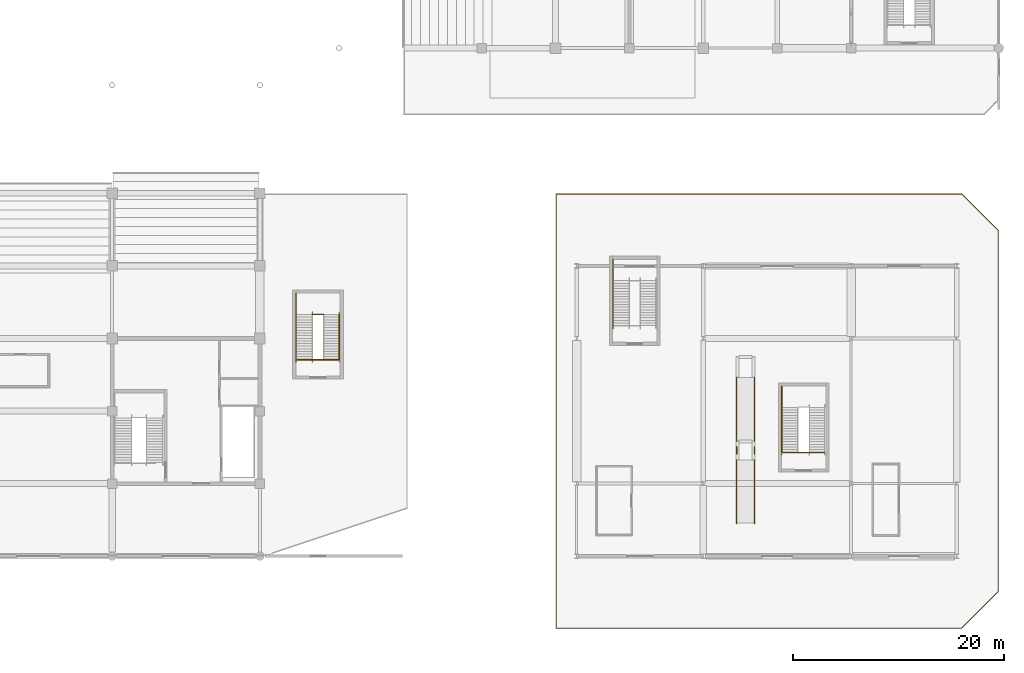
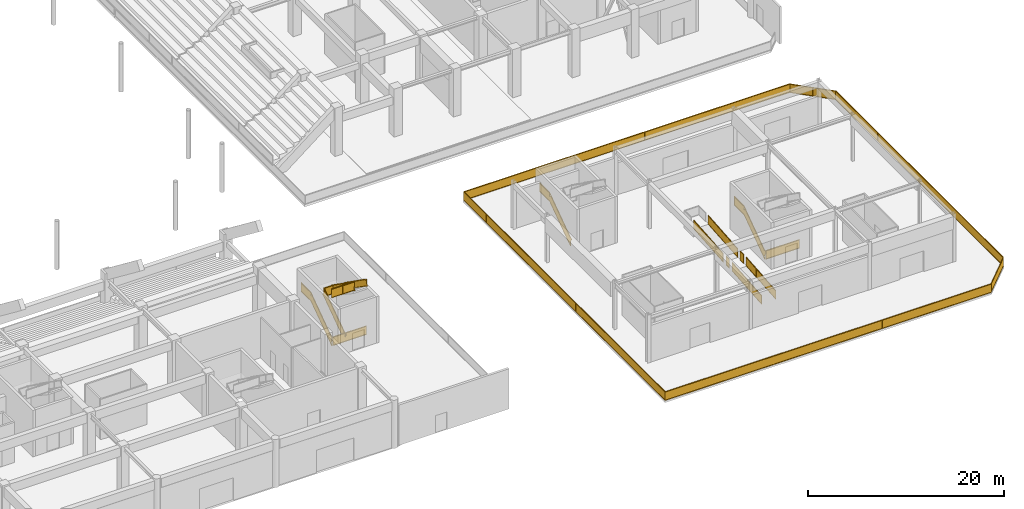
# One storey, part 63 of 73: 14 railings.
"""IFC4 building model written with IfcOpenShell, lengths in metres."""

from ifc_helpers import new_model, si_unit, direction, frame, origin, origin_2d, place, context, subcontext, project, spatial, rectangle, extrude, material, type_object, element, save


model = new_model("IFC4")

# Units and contexts
model_context = context("Model", 3, precision=1e-05, world=origin(), true_north=direction((0.0, 1.0)))
body_context = subcontext(model_context, "Body", "Model", "MODEL_VIEW")
ifc_project = project(units=[si_unit("LENGTHUNIT", "METRE"), si_unit("AREAUNIT", "SQUARE_METRE"), si_unit("VOLUMEUNIT", "CUBIC_METRE"), si_unit("PLANEANGLEUNIT", "RADIAN"), si_unit("MASSUNIT", "GRAM", prefix="KILO")], contexts=[model_context])

# Site, building, storey
site_placement = place(None, origin())
site = spatial("IfcSite", under=ifc_project, at=site_placement, CompositionType="ELEMENT")
building_placement = place(site_placement, origin())
building = spatial("IfcBuilding", under=site, at=building_placement, Name="Linyun Crest Stadium", CompositionType="ELEMENT")
storey_placement = place(building_placement, origin())
storey = spatial("IfcBuildingStorey", under=building, at=storey_placement, Name="L01", CompositionType="ELEMENT", Elevation=0.0)

# Railings
ifc_material_1 = material(Name="Verdigris painted steel botanical balustrade", Category="steel")
railing_type_1 = type_object("IfcRailingType", Name="GR01", PredefinedType="BALUSTRADE", material=ifc_material_1)
railing_1_placement = place(storey_placement, frame((73.159912109375, -84.422119140625, 0.5)))
element("IfcRailing", 1, at=railing_1_placement, inside=storey, type_object=railing_type_1, Name="Slab edge balustrade GR01 403", PredefinedType="BALUSTRADE", context=body_context, shape_type="SweptSolid", body=[
    extrude(rectangle(XDim=0.06005859375, YDim=0.06005859375, at=origin_2d()), frame((0.0, 0.0, 1.119873046875), z_axis=(0.0, 1.0, 0.0), x_axis=(-1.0, 0.0, 0.0)), (0.0, 0.0, 1.0), 0.64404296875),
    extrude(rectangle(XDim=0.030029296875, YDim=1.02978515625, at=origin_2d()), frame((0.0, 0.0, 0.574951171875), z_axis=(0.0, 1.0, 0.0), x_axis=(-1.0, 0.0, 0.0)), (0.0, 0.0, 1.0), 0.64404296875),
    extrude(rectangle(XDim=0.06005859375, YDim=0.06005859375, at=origin_2d()), frame((0.0, 0.0, 0.030029296875), z_axis=(0.0, 1.0, 0.0), x_axis=(-1.0, 0.0, 0.0)), (0.0, 0.0, 1.0), 0.64404296875),
    extrude(rectangle(XDim=0.050048828125, YDim=0.050048828125, at=origin_2d()), origin(), (0.0, 0.0, 1.0), 1.14990234375),
    extrude(rectangle(XDim=0.050048828125, YDim=0.050048828125, at=origin_2d()), frame((0.0, 0.64404296875, 0.0)), (0.0, 0.0, 1.0), 1.14990234375),
])
railing_2_placement = place(storey_placement, frame((74.840087890625, -83.778076171875, 0.5)))
element("IfcRailing", 2, at=railing_2_placement, inside=storey, type_object=railing_type_1, Name="Slab edge balustrade GR01 404", PredefinedType="BALUSTRADE", context=body_context, shape_type="SweptSolid", body=[
    extrude(rectangle(XDim=0.06005859375, YDim=0.06005859375, at=origin_2d()), frame((0.0, 0.0, 1.119873046875), z_axis=(0.0, -1.0, 0.0), x_axis=(1.0, 0.0, 0.0)), (0.0, 0.0, 1.0), 0.64404296875),
    extrude(rectangle(XDim=0.030029296875, YDim=1.02978515625, at=origin_2d()), frame((0.0, 0.0, 0.574951171875), z_axis=(0.0, -1.0, 0.0), x_axis=(1.0, 0.0, 0.0)), (0.0, 0.0, 1.0), 0.64404296875),
    extrude(rectangle(XDim=0.06005859375, YDim=0.06005859375, at=origin_2d()), frame((0.0, 0.0, 0.030029296875), z_axis=(0.0, -1.0, 0.0), x_axis=(1.0, 0.0, 0.0)), (0.0, 0.0, 1.0), 0.64404296875),
    extrude(rectangle(XDim=0.050048828125, YDim=0.050048828125, at=origin_2d()), origin(), (0.0, 0.0, 1.0), 1.14990234375),
    extrude(rectangle(XDim=0.050048828125, YDim=0.050048828125, at=origin_2d()), frame((0.0, -0.64404296875, 0.0)), (0.0, 0.0, 1.0), 1.14990234375),
])
ifc_material_2 = material(Name="Galvanized and powder-coated steel bowl safety barrier", Category="steel")
railing_type_2 = type_object("IfcRailingType", Name="GR02", PredefinedType="GUARDRAIL", material=ifc_material_2)
railing_3_placement = place(storey_placement, frame((31.5400390625, -75.510009765625, 0.0)))
element("IfcRailing", 3, at=railing_3_placement, inside=storey, type_object=railing_type_2, Name="Slab edge balustrade GR02 246", PredefinedType="GUARDRAIL", context=body_context, shape_type="SweptSolid", body=[
    extrude(rectangle(XDim=0.06005859375, YDim=0.06005859375, at=origin_2d()), frame((0.0, 0.0, 1.090087890625), z_axis=(1.0, 0.0, 0.0), x_axis=(0.0, 1.0, 0.0)), (0.0, 0.0, 1.0), 3.919921875),
    extrude(rectangle(XDim=0.030029296875, YDim=1.0, at=origin_2d()), frame((0.0, 0.0, 0.56005859375), z_axis=(1.0, 0.0, 0.0), x_axis=(0.0, 1.0, 0.0)), (0.0, 0.0, 1.0), 3.919921875),
    extrude(rectangle(XDim=0.06005859375, YDim=0.06005859375, at=origin_2d()), frame((0.0, 0.0, 0.030029296875), z_axis=(1.0, 0.0, 0.0), x_axis=(0.0, 1.0, 0.0)), (0.0, 0.0, 1.0), 3.919921875),
    extrude(rectangle(XDim=0.050048828125, YDim=0.050048828125, at=origin_2d()), origin(), (0.0, 0.0, 1.0), 1.1201171875),
    extrude(rectangle(XDim=0.050048828125, YDim=0.050048828125, at=origin_2d()), frame((3.919921875, 0.0, 0.0)), (0.0, 0.0, 1.0), 1.1201171875),
])
railing_4_placement = place(storey_placement, frame((56.06005859375, -100.93994140625, 0.0)))
element("IfcRailing", 4, at=railing_4_placement, inside=storey, type_object=railing_type_2, Name="Slab edge balustrade GR02 383", PredefinedType="GUARDRAIL", context=body_context, shape_type="SweptSolid", body=[
    extrude(rectangle(XDim=0.06005859375, YDim=0.06005859375, at=origin_2d()), frame((0.0, 0.0, 1.090087890625), z_axis=(0.0, 1.0, 0.0), x_axis=(-1.0, 0.0, 0.0)), (0.0, 0.0, 1.0), 41.1298828125),
    extrude(rectangle(XDim=0.030029296875, YDim=1.0, at=origin_2d()), frame((0.0, 0.0, 0.56005859375), z_axis=(0.0, 1.0, 0.0), x_axis=(-1.0, 0.0, 0.0)), (0.0, 0.0, 1.0), 41.1298828125),
    extrude(rectangle(XDim=0.06005859375, YDim=0.06005859375, at=origin_2d()), frame((0.0, 0.0, 0.030029296875), z_axis=(0.0, 1.0, 0.0), x_axis=(-1.0, 0.0, 0.0)), (0.0, 0.0, 1.0), 41.1298828125),
    extrude(rectangle(XDim=0.06005859375, YDim=0.06005859375, at=origin_2d()), frame((0.0, 41.1298828125, 1.090087890625), z_axis=(1.0, 0.0, 0.0), x_axis=(0.0, 1.0, 0.0)), (0.0, 0.0, 1.0), 38.4150390625),
    extrude(rectangle(XDim=0.030029296875, YDim=1.0, at=origin_2d()), frame((0.0, 41.1298828125, 0.56005859375), z_axis=(1.0, 0.0, 0.0), x_axis=(0.0, 1.0, 0.0)), (0.0, 0.0, 1.0), 38.4150390625),
    extrude(rectangle(XDim=0.06005859375, YDim=0.06005859375, at=origin_2d()), frame((0.0, 41.1298828125, 0.030029296875), z_axis=(1.0, 0.0, 0.0), x_axis=(0.0, 1.0, 0.0)), (0.0, 0.0, 1.0), 38.4150390625),
    extrude(rectangle(XDim=0.06005859375, YDim=0.06005859375, at=origin_2d()), frame((38.4150390625, 41.1298828125, 1.090087890625), z_axis=(0.707106781187, -0.707106781187, 0.0), x_axis=(0.707106781187, 0.707106781187, 0.0)), (0.0, 0.0, 1.0), 4.900146484375),
    extrude(rectangle(XDim=0.030029296875, YDim=1.0, at=origin_2d()), frame((38.4150390625, 41.1298828125, 0.56005859375), z_axis=(0.707106781187, -0.707106781187, 0.0), x_axis=(0.707106781187, 0.707106781187, 0.0)), (0.0, 0.0, 1.0), 4.900146484375),
    extrude(rectangle(XDim=0.06005859375, YDim=0.06005859375, at=origin_2d()), frame((38.4150390625, 41.1298828125, 0.030029296875), z_axis=(0.707106781187, -0.707106781187, 0.0), x_axis=(0.707106781187, 0.707106781187, 0.0)), (0.0, 0.0, 1.0), 4.900146484375),
    extrude(rectangle(XDim=0.06005859375, YDim=0.06005859375, at=origin_2d()), frame((41.8798828125, 37.6650390625, 1.090087890625), z_axis=(0.0, -1.0, 0.0), x_axis=(1.0, 0.0, 0.0)), (0.0, 0.0, 1.0), 34.2001953125),
    extrude(rectangle(XDim=0.030029296875, YDim=1.0, at=origin_2d()), frame((41.8798828125, 37.6650390625, 0.56005859375), z_axis=(0.0, -1.0, 0.0), x_axis=(1.0, 0.0, 0.0)), (0.0, 0.0, 1.0), 34.2001953125),
    extrude(rectangle(XDim=0.06005859375, YDim=0.06005859375, at=origin_2d()), frame((41.8798828125, 37.6650390625, 0.030029296875), z_axis=(0.0, -1.0, 0.0), x_axis=(1.0, 0.0, 0.0)), (0.0, 0.0, 1.0), 34.2001953125),
    extrude(rectangle(XDim=0.06005859375, YDim=0.06005859375, at=origin_2d()), frame((41.8798828125, 3.46484375, 1.090087890625), z_axis=(-0.707106781187, -0.707106781187, 0.0), x_axis=(0.707106781187, -0.707106781187, 0.0)), (0.0, 0.0, 1.0), 4.900146484375),
    extrude(rectangle(XDim=0.030029296875, YDim=1.0, at=origin_2d()), frame((41.8798828125, 3.46484375, 0.56005859375), z_axis=(-0.707106781187, -0.707106781187, 0.0), x_axis=(0.707106781187, -0.707106781187, 0.0)), (0.0, 0.0, 1.0), 4.900146484375),
    extrude(rectangle(XDim=0.06005859375, YDim=0.06005859375, at=origin_2d()), frame((41.8798828125, 3.46484375, 0.030029296875), z_axis=(-0.707106781187, -0.707106781187, 0.0), x_axis=(0.707106781187, -0.707106781187, 0.0)), (0.0, 0.0, 1.0), 4.900146484375),
    extrude(rectangle(XDim=0.06005859375, YDim=0.06005859375, at=origin_2d()), frame((38.4150390625, 0.0, 1.090087890625), z_axis=(-1.0, 0.0, 0.0), x_axis=(0.0, -1.0, 0.0)), (0.0, 0.0, 1.0), 38.4150390625),
    extrude(rectangle(XDim=0.030029296875, YDim=1.0, at=origin_2d()), frame((38.4150390625, 0.0, 0.56005859375), z_axis=(-1.0, 0.0, 0.0), x_axis=(0.0, -1.0, 0.0)), (0.0, 0.0, 1.0), 38.4150390625),
    extrude(rectangle(XDim=0.06005859375, YDim=0.06005859375, at=origin_2d()), frame((38.4150390625, 0.0, 0.030029296875), z_axis=(-1.0, 0.0, 0.0), x_axis=(0.0, -1.0, 0.0)), (0.0, 0.0, 1.0), 38.4150390625),
    extrude(rectangle(XDim=0.050048828125, YDim=0.050048828125, at=origin_2d()), origin(), (0.0, 0.0, 1.0), 1.1201171875),
    extrude(rectangle(XDim=0.050048828125, YDim=0.050048828125, at=origin_2d()), frame((0.0, 4.570068359375, 0.0)), (0.0, 0.0, 1.0), 1.1201171875),
    extrude(rectangle(XDim=0.050048828125, YDim=0.050048828125, at=origin_2d()), frame((0.0, 9.139892578125, 0.0)), (0.0, 0.0, 1.0), 1.1201171875),
    extrude(rectangle(XDim=0.050048828125, YDim=0.050048828125, at=origin_2d()), frame((0.0, 13.7099609375, 0.0)), (0.0, 0.0, 1.0), 1.1201171875),
    extrude(rectangle(XDim=0.050048828125, YDim=0.050048828125, at=origin_2d()), frame((0.0, 18.280029296875, 0.0)), (0.0, 0.0, 1.0), 1.1201171875),
    extrude(rectangle(XDim=0.050048828125, YDim=0.050048828125, at=origin_2d()), frame((0.0, 22.849853515625, 0.0)), (0.0, 0.0, 1.0), 1.1201171875),
    extrude(rectangle(XDim=0.050048828125, YDim=0.050048828125, at=origin_2d()), frame((0.0, 27.419921875, 0.0)), (0.0, 0.0, 1.0), 1.1201171875),
    extrude(rectangle(XDim=0.050048828125, YDim=0.050048828125, at=origin_2d()), frame((0.0, 31.989990234375, 0.0)), (0.0, 0.0, 1.0), 1.1201171875),
    extrude(rectangle(XDim=0.050048828125, YDim=0.050048828125, at=origin_2d()), frame((0.0, 36.559814453125, 0.0)), (0.0, 0.0, 1.0), 1.1201171875),
    extrude(rectangle(XDim=0.050048828125, YDim=0.050048828125, at=origin_2d()), frame((0.0, 41.1298828125, 0.0)), (0.0, 0.0, 1.0), 1.1201171875),
    extrude(rectangle(XDim=0.050048828125, YDim=0.050048828125, at=origin_2d()), frame((4.268310546875, 41.1298828125, 0.0)), (0.0, 0.0, 1.0), 1.1201171875),
    extrude(rectangle(XDim=0.050048828125, YDim=0.050048828125, at=origin_2d()), frame((8.53662109375, 41.1298828125, 0.0)), (0.0, 0.0, 1.0), 1.1201171875),
    extrude(rectangle(XDim=0.050048828125, YDim=0.050048828125, at=origin_2d()), frame((12.804931640625, 41.1298828125, 0.0)), (0.0, 0.0, 1.0), 1.1201171875),
    extrude(rectangle(XDim=0.050048828125, YDim=0.050048828125, at=origin_2d()), frame((17.0732421875, 41.1298828125, 0.0)), (0.0, 0.0, 1.0), 1.1201171875),
    extrude(rectangle(XDim=0.050048828125, YDim=0.050048828125, at=origin_2d()), frame((21.341796875, 41.1298828125, 0.0)), (0.0, 0.0, 1.0), 1.1201171875),
    extrude(rectangle(XDim=0.050048828125, YDim=0.050048828125, at=origin_2d()), frame((25.610107421875, 41.1298828125, 0.0)), (0.0, 0.0, 1.0), 1.1201171875),
    extrude(rectangle(XDim=0.050048828125, YDim=0.050048828125, at=origin_2d()), frame((29.87841796875, 41.1298828125, 0.0)), (0.0, 0.0, 1.0), 1.1201171875),
    extrude(rectangle(XDim=0.050048828125, YDim=0.050048828125, at=origin_2d()), frame((34.146728515625, 41.1298828125, 0.0)), (0.0, 0.0, 1.0), 1.1201171875),
    extrude(rectangle(XDim=0.050048828125, YDim=0.050048828125, at=origin_2d()), frame((38.4150390625, 41.1298828125, 0.0)), (0.0, 0.0, 1.0), 1.1201171875),
    extrude(rectangle(XDim=0.050048828125, YDim=0.050048828125, at=origin_2d()), frame((40.1474609375, 39.3974609375, 0.0)), (0.0, 0.0, 1.0), 1.1201171875),
    extrude(rectangle(XDim=0.050048828125, YDim=0.050048828125, at=origin_2d()), frame((41.8798828125, 37.6650390625, 0.0)), (0.0, 0.0, 1.0), 1.1201171875),
    extrude(rectangle(XDim=0.050048828125, YDim=0.050048828125, at=origin_2d()), frame((41.8798828125, 33.39013671875, 0.0)), (0.0, 0.0, 1.0), 1.1201171875),
    extrude(rectangle(XDim=0.050048828125, YDim=0.050048828125, at=origin_2d()), frame((41.8798828125, 29.114990234375, 0.0)), (0.0, 0.0, 1.0), 1.1201171875),
    extrude(rectangle(XDim=0.050048828125, YDim=0.050048828125, at=origin_2d()), frame((41.8798828125, 24.83984375, 0.0)), (0.0, 0.0, 1.0), 1.1201171875),
    extrude(rectangle(XDim=0.050048828125, YDim=0.050048828125, at=origin_2d()), frame((41.8798828125, 20.56494140625, 0.0)), (0.0, 0.0, 1.0), 1.1201171875),
    extrude(rectangle(XDim=0.050048828125, YDim=0.050048828125, at=origin_2d()), frame((41.8798828125, 16.2900390625, 0.0)), (0.0, 0.0, 1.0), 1.1201171875),
    extrude(rectangle(XDim=0.050048828125, YDim=0.050048828125, at=origin_2d()), frame((41.8798828125, 12.014892578125, 0.0)), (0.0, 0.0, 1.0), 1.1201171875),
    extrude(rectangle(XDim=0.050048828125, YDim=0.050048828125, at=origin_2d()), frame((41.8798828125, 7.73974609375, 0.0)), (0.0, 0.0, 1.0), 1.1201171875),
    extrude(rectangle(XDim=0.050048828125, YDim=0.050048828125, at=origin_2d()), frame((41.8798828125, 3.46484375, 0.0)), (0.0, 0.0, 1.0), 1.1201171875),
    extrude(rectangle(XDim=0.050048828125, YDim=0.050048828125, at=origin_2d()), frame((40.1474609375, 1.732421875, 0.0)), (0.0, 0.0, 1.0), 1.1201171875),
    extrude(rectangle(XDim=0.050048828125, YDim=0.050048828125, at=origin_2d()), frame((38.4150390625, 0.0, 0.0)), (0.0, 0.0, 1.0), 1.1201171875),
    extrude(rectangle(XDim=0.050048828125, YDim=0.050048828125, at=origin_2d()), frame((34.146728515625, 0.0, 0.0)), (0.0, 0.0, 1.0), 1.1201171875),
    extrude(rectangle(XDim=0.050048828125, YDim=0.050048828125, at=origin_2d()), frame((29.87841796875, 0.0, 0.0)), (0.0, 0.0, 1.0), 1.1201171875),
    extrude(rectangle(XDim=0.050048828125, YDim=0.050048828125, at=origin_2d()), frame((25.610107421875, 0.0, 0.0)), (0.0, 0.0, 1.0), 1.1201171875),
    extrude(rectangle(XDim=0.050048828125, YDim=0.050048828125, at=origin_2d()), frame((21.341796875, 0.0, 0.0)), (0.0, 0.0, 1.0), 1.1201171875),
    extrude(rectangle(XDim=0.050048828125, YDim=0.050048828125, at=origin_2d()), frame((17.0732421875, 0.0, 0.0)), (0.0, 0.0, 1.0), 1.1201171875),
    extrude(rectangle(XDim=0.050048828125, YDim=0.050048828125, at=origin_2d()), frame((12.804931640625, 0.0, 0.0)), (0.0, 0.0, 1.0), 1.1201171875),
    extrude(rectangle(XDim=0.050048828125, YDim=0.050048828125, at=origin_2d()), frame((8.53662109375, 0.0, 0.0)), (0.0, 0.0, 1.0), 1.1201171875),
    extrude(rectangle(XDim=0.050048828125, YDim=0.050048828125, at=origin_2d()), frame((4.268310546875, 0.0, 0.0)), (0.0, 0.0, 1.0), 1.1201171875),
])
railing_5_placement = place(storey_placement, frame((77.5400390625, -84.31005859375, 0.0)))
element("IfcRailing", 5, at=railing_5_placement, inside=storey, type_object=railing_type_2, Name="Slab edge balustrade GR02 384", PredefinedType="GUARDRAIL", context=body_context, shape_type="SweptSolid", body=[
    extrude(rectangle(XDim=0.06005859375, YDim=0.06005859375, at=origin_2d()), frame((0.0, 0.0, 1.090087890625), z_axis=(1.0, 0.0, 0.0), x_axis=(0.0, 1.0, 0.0)), (0.0, 0.0, 1.0), 3.919921875),
    extrude(rectangle(XDim=0.030029296875, YDim=1.0, at=origin_2d()), frame((0.0, 0.0, 0.56005859375), z_axis=(1.0, 0.0, 0.0), x_axis=(0.0, 1.0, 0.0)), (0.0, 0.0, 1.0), 3.919921875),
    extrude(rectangle(XDim=0.06005859375, YDim=0.06005859375, at=origin_2d()), frame((0.0, 0.0, 0.030029296875), z_axis=(1.0, 0.0, 0.0), x_axis=(0.0, 1.0, 0.0)), (0.0, 0.0, 1.0), 3.919921875),
    extrude(rectangle(XDim=0.050048828125, YDim=0.050048828125, at=origin_2d()), origin(), (0.0, 0.0, 1.0), 1.1201171875),
    extrude(rectangle(XDim=0.050048828125, YDim=0.050048828125, at=origin_2d()), frame((3.919921875, 0.0, 0.0)), (0.0, 0.0, 1.0), 1.1201171875),
])
ifc_material_3 = material(Name="Painted steel stairwell safety guard", Category="steel")
railing_type_3 = type_object("IfcRailingType", Name="GR03", PredefinedType="GUARDRAIL", material=ifc_material_3)
railing_6_placement = place(storey_placement, frame((31.429931640625, -75.47998046875, 0.0)))
element("IfcRailing", 6, at=railing_6_placement, inside=storey, type_object=railing_type_3, Name="STR-29-L01 outer guard", PredefinedType="GUARDRAIL", context=body_context, shape_type="SweptSolid", body=[
    extrude(rectangle(XDim=0.06005859375, YDim=0.06005859375, at=origin_2d()), frame((0.0, 0.0, 1.090087890625), z_axis=(0.0, 0.816967863265, 0.576683197599), x_axis=(-1.0, 0.0, 0.0)), (0.0, 0.0, 1.0), 5.2021484375),
    extrude(rectangle(XDim=0.030029296875, YDim=1.0, at=origin_2d()), frame((0.0, 0.0, 0.56005859375), z_axis=(0.0, 0.816967863265, 0.576683197599), x_axis=(-1.0, 0.0, 0.0)), (0.0, 0.0, 1.0), 5.2021484375),
    extrude(rectangle(XDim=0.06005859375, YDim=0.06005859375, at=origin_2d()), frame((0.0, 0.0, 0.030029296875), z_axis=(0.0, 0.816967863265, 0.576683197599), x_axis=(-1.0, 0.0, 0.0)), (0.0, 0.0, 1.0), 5.2021484375),
    extrude(rectangle(XDim=0.06005859375, YDim=0.06005859375, at=origin_2d()), frame((0.0, 4.25, 4.090087890625), z_axis=(0.0, 1.0, 0.0), x_axis=(-1.0, 0.0, 0.0)), (0.0, 0.0, 1.0), 2.0),
    extrude(rectangle(XDim=0.030029296875, YDim=1.0, at=origin_2d()), frame((0.0, 4.25, 3.56005859375), z_axis=(0.0, 1.0, 0.0), x_axis=(-1.0, 0.0, 0.0)), (0.0, 0.0, 1.0), 2.0),
    extrude(rectangle(XDim=0.06005859375, YDim=0.06005859375, at=origin_2d()), frame((0.0, 4.25, 3.030029296875), z_axis=(0.0, 1.0, 0.0), x_axis=(-1.0, 0.0, 0.0)), (0.0, 0.0, 1.0), 2.0),
    extrude(rectangle(XDim=0.050048828125, YDim=0.050048828125, at=origin_2d()), origin(), (0.0, 0.0, 1.0), 1.1201171875),
    extrude(rectangle(XDim=0.050048828125, YDim=0.050048828125, at=origin_2d()), frame((0.0, 1.416748046875, 1.0)), (0.0, 0.0, 1.0), 1.1201171875),
    extrude(rectangle(XDim=0.050048828125, YDim=0.050048828125, at=origin_2d()), frame((0.0, 2.833251953125, 2.0)), (0.0, 0.0, 1.0), 1.1201171875),
    extrude(rectangle(XDim=0.050048828125, YDim=0.050048828125, at=origin_2d()), frame((0.0, 4.25, 3.0)), (0.0, 0.0, 1.0), 1.1201171875),
    extrude(rectangle(XDim=0.050048828125, YDim=0.050048828125, at=origin_2d()), frame((0.0, 6.25, 3.0)), (0.0, 0.0, 1.0), 1.1201171875),
])
railing_7_placement = place(storey_placement, frame((32.969970703125, -75.5, 0.0)))
element("IfcRailing", 7, at=railing_7_placement, inside=storey, type_object=railing_type_3, Name="STR-29-L01 inner well guard", PredefinedType="GUARDRAIL", context=body_context, shape_type="SweptSolid", body=[
    extrude(rectangle(XDim=0.06005859375, YDim=0.06005859375, at=origin_2d()), frame((0.0, 0.0, 1.090087890625), z_axis=(0.0, 0.818241657069, 0.574874412926), x_axis=(-1.0, 0.0, 0.0)), (0.0, 0.0, 1.0), 5.218505859375),
    extrude(rectangle(XDim=0.030029296875, YDim=1.0, at=origin_2d()), frame((0.0, 0.0, 0.56005859375), z_axis=(0.0, 0.818241657069, 0.574874412926), x_axis=(-1.0, 0.0, 0.0)), (0.0, 0.0, 1.0), 5.218505859375),
    extrude(rectangle(XDim=0.06005859375, YDim=0.06005859375, at=origin_2d()), frame((0.0, 0.0, 0.030029296875), z_axis=(0.0, 0.818241657069, 0.574874412926), x_axis=(-1.0, 0.0, 0.0)), (0.0, 0.0, 1.0), 5.218505859375),
    extrude(rectangle(XDim=0.06005859375, YDim=0.06005859375, at=origin_2d()), frame((0.0, 4.27001953125, 4.090087890625), z_axis=(1.0, 0.0, 0.0), x_axis=(0.0, 1.0, 0.0)), (0.0, 0.0, 1.0), 1.06005859375),
    extrude(rectangle(XDim=0.030029296875, YDim=1.0, at=origin_2d()), frame((0.0, 4.27001953125, 3.56005859375), z_axis=(1.0, 0.0, 0.0), x_axis=(0.0, 1.0, 0.0)), (0.0, 0.0, 1.0), 1.06005859375),
    extrude(rectangle(XDim=0.06005859375, YDim=0.06005859375, at=origin_2d()), frame((0.0, 4.27001953125, 3.030029296875), z_axis=(1.0, 0.0, 0.0), x_axis=(0.0, 1.0, 0.0)), (0.0, 0.0, 1.0), 1.06005859375),
    extrude(rectangle(XDim=0.06005859375, YDim=0.06005859375, at=origin_2d()), frame((1.06005859375, 4.27001953125, 4.090087890625), z_axis=(0.0, -0.818241657069, 0.574874412926), x_axis=(1.0, 0.0, 0.0)), (0.0, 0.0, 1.0), 5.218505859375),
    extrude(rectangle(XDim=0.030029296875, YDim=1.0, at=origin_2d()), frame((1.06005859375, 4.27001953125, 3.56005859375), z_axis=(0.0, -0.818241657069, 0.574874412926), x_axis=(1.0, 0.0, 0.0)), (0.0, 0.0, 1.0), 5.218505859375),
    extrude(rectangle(XDim=0.06005859375, YDim=0.06005859375, at=origin_2d()), frame((1.06005859375, 4.27001953125, 3.030029296875), z_axis=(0.0, -0.818241657069, 0.574874412926), x_axis=(1.0, 0.0, 0.0)), (0.0, 0.0, 1.0), 5.218505859375),
    extrude(rectangle(XDim=0.06005859375, YDim=0.06005859375, at=origin_2d()), frame((1.06005859375, 0.0, 7.090087890625), z_axis=(-1.0, 0.0, 0.0), x_axis=(0.0, -1.0, 0.0)), (0.0, 0.0, 1.0), 2.610107421875),
    extrude(rectangle(XDim=0.030029296875, YDim=1.0, at=origin_2d()), frame((1.06005859375, 0.0, 6.56005859375), z_axis=(-1.0, 0.0, 0.0), x_axis=(0.0, -1.0, 0.0)), (0.0, 0.0, 1.0), 2.610107421875),
    extrude(rectangle(XDim=0.06005859375, YDim=0.06005859375, at=origin_2d()), frame((1.06005859375, 0.0, 6.030029296875), z_axis=(-1.0, 0.0, 0.0), x_axis=(0.0, -1.0, 0.0)), (0.0, 0.0, 1.0), 2.610107421875),
    extrude(rectangle(XDim=0.050048828125, YDim=0.050048828125, at=origin_2d()), origin(), (0.0, 0.0, 1.0), 1.1201171875),
    extrude(rectangle(XDim=0.050048828125, YDim=0.050048828125, at=origin_2d()), frame((0.0, 1.42333984375, 1.0)), (0.0, 0.0, 1.0), 1.1201171875),
    extrude(rectangle(XDim=0.050048828125, YDim=0.050048828125, at=origin_2d()), frame((0.0, 2.8466796875, 2.0)), (0.0, 0.0, 1.0), 1.1201171875),
    extrude(rectangle(XDim=0.050048828125, YDim=0.050048828125, at=origin_2d()), frame((0.0, 4.27001953125, 3.0)), (0.0, 0.0, 1.0), 1.1201171875),
    extrude(rectangle(XDim=0.050048828125, YDim=0.050048828125, at=origin_2d()), frame((1.06005859375, 4.27001953125, 3.0)), (0.0, 0.0, 1.0), 1.1201171875),
    extrude(rectangle(XDim=0.050048828125, YDim=0.050048828125, at=origin_2d()), frame((1.06005859375, 2.8466796875, 4.0)), (0.0, 0.0, 1.0), 1.1201171875),
    extrude(rectangle(XDim=0.050048828125, YDim=0.050048828125, at=origin_2d()), frame((1.06005859375, 1.42333984375, 5.0)), (0.0, 0.0, 1.0), 1.1201171875),
    extrude(rectangle(XDim=0.050048828125, YDim=0.050048828125, at=origin_2d()), frame((1.06005859375, 0.0, 6.0)), (0.0, 0.0, 1.0), 1.1201171875),
    extrude(rectangle(XDim=0.050048828125, YDim=0.050048828125, at=origin_2d()), frame((-0.2451171875, 0.0, 6.0)), (0.0, 0.0, 1.0), 1.1201171875),
    extrude(rectangle(XDim=0.050048828125, YDim=0.050048828125, at=origin_2d()), frame((-1.550048828125, 0.0, 6.0)), (0.0, 0.0, 1.0), 1.1201171875),
])
railing_8_placement = place(storey_placement, frame((77.429931640625, -84.280029296875, 0.0)))
element("IfcRailing", 8, at=railing_8_placement, inside=storey, type_object=railing_type_3, Name="STR-31-L01 outer guard", PredefinedType="GUARDRAIL", context=body_context, shape_type="SweptSolid", body=[
    extrude(rectangle(XDim=0.06005859375, YDim=0.06005859375, at=origin_2d()), frame((0.0, 0.0, 1.090087890625), z_axis=(0.0, 0.816967863265, 0.576683197599), x_axis=(-1.0, 0.0, 0.0)), (0.0, 0.0, 1.0), 5.2021484375),
    extrude(rectangle(XDim=0.030029296875, YDim=1.0, at=origin_2d()), frame((0.0, 0.0, 0.56005859375), z_axis=(0.0, 0.816967863265, 0.576683197599), x_axis=(-1.0, 0.0, 0.0)), (0.0, 0.0, 1.0), 5.2021484375),
    extrude(rectangle(XDim=0.06005859375, YDim=0.06005859375, at=origin_2d()), frame((0.0, 0.0, 0.030029296875), z_axis=(0.0, 0.816967863265, 0.576683197599), x_axis=(-1.0, 0.0, 0.0)), (0.0, 0.0, 1.0), 5.2021484375),
    extrude(rectangle(XDim=0.06005859375, YDim=0.06005859375, at=origin_2d()), frame((0.0, 4.25, 4.090087890625), z_axis=(0.0, 1.0, 0.0), x_axis=(-1.0, 0.0, 0.0)), (0.0, 0.0, 1.0), 2.0),
    extrude(rectangle(XDim=0.030029296875, YDim=1.0, at=origin_2d()), frame((0.0, 4.25, 3.56005859375), z_axis=(0.0, 1.0, 0.0), x_axis=(-1.0, 0.0, 0.0)), (0.0, 0.0, 1.0), 2.0),
    extrude(rectangle(XDim=0.06005859375, YDim=0.06005859375, at=origin_2d()), frame((0.0, 4.25, 3.030029296875), z_axis=(0.0, 1.0, 0.0), x_axis=(-1.0, 0.0, 0.0)), (0.0, 0.0, 1.0), 2.0),
    extrude(rectangle(XDim=0.050048828125, YDim=0.050048828125, at=origin_2d()), origin(), (0.0, 0.0, 1.0), 1.1201171875),
    extrude(rectangle(XDim=0.050048828125, YDim=0.050048828125, at=origin_2d()), frame((0.0, 1.416748046875, 1.0)), (0.0, 0.0, 1.0), 1.1201171875),
    extrude(rectangle(XDim=0.050048828125, YDim=0.050048828125, at=origin_2d()), frame((0.0, 2.833251953125, 2.0)), (0.0, 0.0, 1.0), 1.1201171875),
    extrude(rectangle(XDim=0.050048828125, YDim=0.050048828125, at=origin_2d()), frame((0.0, 4.25, 3.0)), (0.0, 0.0, 1.0), 1.1201171875),
    extrude(rectangle(XDim=0.050048828125, YDim=0.050048828125, at=origin_2d()), frame((0.0, 6.25, 3.0)), (0.0, 0.0, 1.0), 1.1201171875),
])
railing_9_placement = place(storey_placement, frame((61.429931640625, -72.280029296875, 0.0)))
element("IfcRailing", 9, at=railing_9_placement, inside=storey, type_object=railing_type_3, Name="STR-32-L01 outer guard", PredefinedType="GUARDRAIL", context=body_context, shape_type="SweptSolid", body=[
    extrude(rectangle(XDim=0.06005859375, YDim=0.06005859375, at=origin_2d()), frame((0.0, 0.0, 1.090087890625), z_axis=(0.0, 0.816967863265, 0.576683197599), x_axis=(-1.0, 0.0, 0.0)), (0.0, 0.0, 1.0), 5.2021484375),
    extrude(rectangle(XDim=0.030029296875, YDim=1.0, at=origin_2d()), frame((0.0, 0.0, 0.56005859375), z_axis=(0.0, 0.816967863265, 0.576683197599), x_axis=(-1.0, 0.0, 0.0)), (0.0, 0.0, 1.0), 5.2021484375),
    extrude(rectangle(XDim=0.06005859375, YDim=0.06005859375, at=origin_2d()), frame((0.0, 0.0, 0.030029296875), z_axis=(0.0, 0.816967863265, 0.576683197599), x_axis=(-1.0, 0.0, 0.0)), (0.0, 0.0, 1.0), 5.2021484375),
    extrude(rectangle(XDim=0.06005859375, YDim=0.06005859375, at=origin_2d()), frame((0.0, 4.25, 4.090087890625), z_axis=(0.0, 1.0, 0.0), x_axis=(-1.0, 0.0, 0.0)), (0.0, 0.0, 1.0), 2.0),
    extrude(rectangle(XDim=0.030029296875, YDim=1.0, at=origin_2d()), frame((0.0, 4.25, 3.56005859375), z_axis=(0.0, 1.0, 0.0), x_axis=(-1.0, 0.0, 0.0)), (0.0, 0.0, 1.0), 2.0),
    extrude(rectangle(XDim=0.06005859375, YDim=0.06005859375, at=origin_2d()), frame((0.0, 4.25, 3.030029296875), z_axis=(0.0, 1.0, 0.0), x_axis=(-1.0, 0.0, 0.0)), (0.0, 0.0, 1.0), 2.0),
    extrude(rectangle(XDim=0.050048828125, YDim=0.050048828125, at=origin_2d()), origin(), (0.0, 0.0, 1.0), 1.1201171875),
    extrude(rectangle(XDim=0.050048828125, YDim=0.050048828125, at=origin_2d()), frame((0.0, 1.416748046875, 1.0)), (0.0, 0.0, 1.0), 1.1201171875),
    extrude(rectangle(XDim=0.050048828125, YDim=0.050048828125, at=origin_2d()), frame((0.0, 2.833251953125, 2.0)), (0.0, 0.0, 1.0), 1.1201171875),
    extrude(rectangle(XDim=0.050048828125, YDim=0.050048828125, at=origin_2d()), frame((0.0, 4.25, 3.0)), (0.0, 0.0, 1.0), 1.1201171875),
    extrude(rectangle(XDim=0.050048828125, YDim=0.050048828125, at=origin_2d()), frame((0.0, 6.25, 3.0)), (0.0, 0.0, 1.0), 1.1201171875),
])
for number, where, name in (
    (10, (73.14990234375, -91.0, 0.0), "RMP-06 guard 1W"),
    (11, (74.85009765625, -91.0, 0.0), "RMP-06 guard 1E"),
    (12, (73.14990234375, -83.199951171875, 0.5), "RMP-06 guard 2W"),
    (13, (74.85009765625, -83.199951171875, 0.5), "RMP-06 guard 2E"),
):
    element("IfcRailing", number, at=place(storey_placement, frame(where)), inside=storey, type_object=railing_type_3, Name=name, PredefinedType="GUARDRAIL", context=body_context, shape_type="SweptSolid", body=[
        extrude(rectangle(XDim=0.06005859375, YDim=0.06005859375, at=origin_2d()), frame((0.0, 0.0, 1.090087890625), z_axis=(0.0, 0.996545758245, 0.083045479854), x_axis=(-1.0, 0.0, 0.0)), (0.0, 0.0, 1.0), 6.020751953125),
        extrude(rectangle(XDim=0.030029296875, YDim=1.0, at=origin_2d()), frame((0.0, 0.0, 0.56005859375), z_axis=(0.0, 0.996545758245, 0.083045479854), x_axis=(-1.0, 0.0, 0.0)), (0.0, 0.0, 1.0), 6.020751953125),
        extrude(rectangle(XDim=0.06005859375, YDim=0.06005859375, at=origin_2d()), frame((0.0, 0.0, 0.030029296875), z_axis=(0.0, 0.996545758245, 0.083045479854), x_axis=(-1.0, 0.0, 0.0)), (0.0, 0.0, 1.0), 6.020751953125),
        extrude(rectangle(XDim=0.050048828125, YDim=0.050048828125, at=origin_2d()), origin(), (0.0, 0.0, 1.0), 1.1201171875),
        extrude(rectangle(XDim=0.050048828125, YDim=0.050048828125, at=origin_2d()), frame((0.0, 2.0, 0.166748046875)), (0.0, 0.0, 1.0), 1.1201171875),
        extrude(rectangle(XDim=0.050048828125, YDim=0.050048828125, at=origin_2d()), frame((0.0, 4.0, 0.333251953125)), (0.0, 0.0, 1.0), 1.1201171875),
        extrude(rectangle(XDim=0.050048828125, YDim=0.050048828125, at=origin_2d()), frame((0.0, 6.0, 0.5)), (0.0, 0.0, 1.0), 1.1201171875),
    ])
ifc_material_4 = material(Name="Brushed stainless steel tubular handrail", Category="steel")
railing_type_4 = type_object("IfcRailingType", Name="HR01", PredefinedType="HANDRAIL", material=ifc_material_4)
railing_10_placement = place(storey_placement, frame((35.52001953125, -71.22998046875, 3.0)))
element("IfcRailing", 14, at=railing_10_placement, inside=storey, type_object=railing_type_4, Name="STR-29-L01 handrail", PredefinedType="HANDRAIL", context=body_context, shape_type="SweptSolid", body=[
    extrude(rectangle(XDim=0.06005859375, YDim=0.06005859375, at=origin_2d()), frame((0.0, 0.0, 0.889892578125), z_axis=(0.0, -0.816967863265, 0.576683197599), x_axis=(1.0, 0.0, 0.0)), (0.0, 0.0, 1.0), 5.2021484375),
    extrude(rectangle(XDim=0.030029296875, YDim=0.7998046875, at=origin_2d()), frame((0.0, 0.0, 0.4599609375), z_axis=(0.0, -0.816967863265, 0.576683197599), x_axis=(1.0, 0.0, 0.0)), (0.0, 0.0, 1.0), 5.2021484375),
    extrude(rectangle(XDim=0.06005859375, YDim=0.06005859375, at=origin_2d()), frame((0.0, 0.0, 0.030029296875), z_axis=(0.0, -0.816967863265, 0.576683197599), x_axis=(1.0, 0.0, 0.0)), (0.0, 0.0, 1.0), 5.2021484375),
    extrude(rectangle(XDim=0.050048828125, YDim=0.050048828125, at=origin_2d()), origin(), (0.0, 0.0, 1.0), 0.919921875),
    extrude(rectangle(XDim=0.050048828125, YDim=0.050048828125, at=origin_2d()), frame((0.0, -1.416748046875, 1.0)), (0.0, 0.0, 1.0), 0.919921875),
    extrude(rectangle(XDim=0.050048828125, YDim=0.050048828125, at=origin_2d()), frame((0.0, -2.833251953125, 2.0)), (0.0, 0.0, 1.0), 0.919921875),
    extrude(rectangle(XDim=0.050048828125, YDim=0.050048828125, at=origin_2d()), frame((0.0, -4.25, 3.0)), (0.0, 0.0, 1.0), 0.919921875),
])

save(model, "model.ifc")
